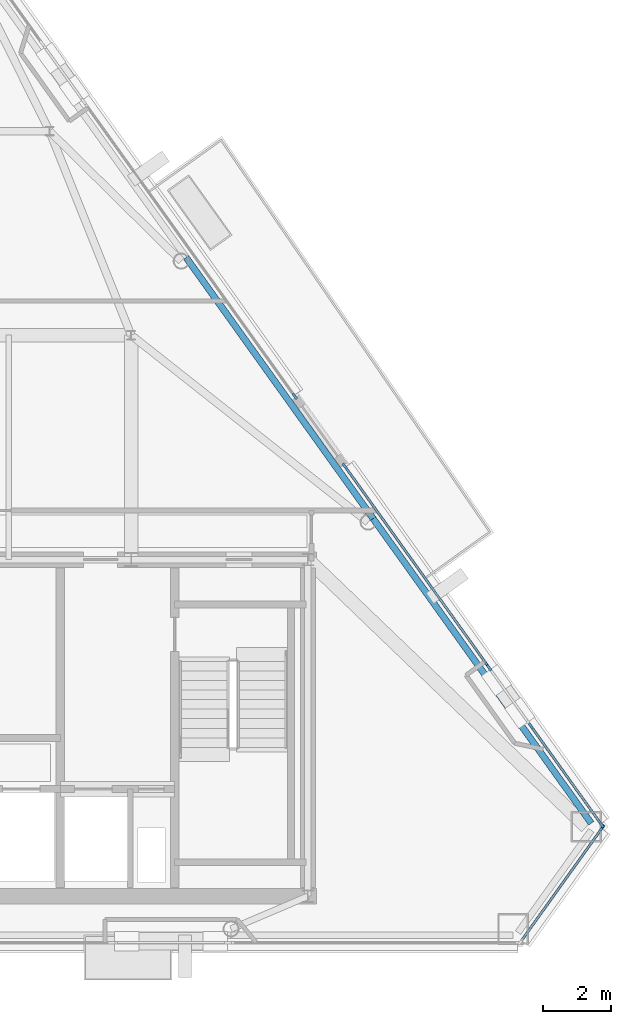
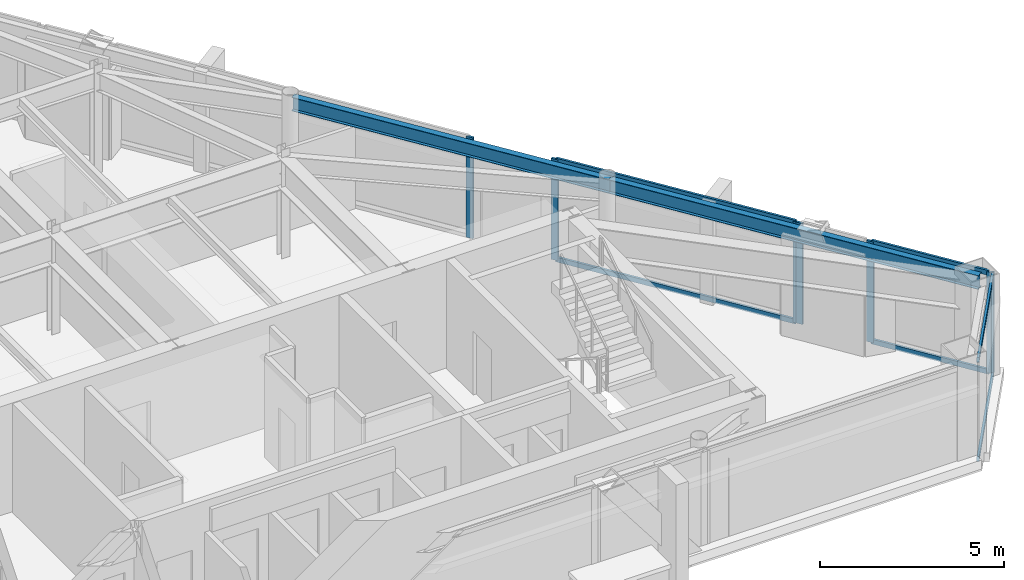
# One storey, part 6 of 12: 13 members, 2 beams, 5 elements without a shape of their own.
"""IFC4 building model written with IfcOpenShell, lengths in metres."""

from ifc_helpers import new_model, si_unit, direction, frame, origin, origin_2d, place, context, subcontext, project, spatial, rectangle, i_section, extrude, material, layer, layer_set, material_profile, profile_set, type_object, element, aggregate, save


model = new_model("IFC4")

# Units and contexts
model_context = context("Model", 3, precision=1e-05, world=origin(), true_north=direction((0.0, 1.0)))
body_context = subcontext(model_context, "Body", "Model", "MODEL_VIEW")
ifc_project = project(units=[si_unit("LENGTHUNIT", "METRE"), si_unit("AREAUNIT", "SQUARE_METRE"), si_unit("VOLUMEUNIT", "CUBIC_METRE"), si_unit("PLANEANGLEUNIT", "RADIAN"), si_unit("MASSUNIT", "GRAM", prefix="KILO")], contexts=[model_context])

# Site, building, storey
site_placement = place(None, origin())
site = spatial("IfcSite", under=ifc_project, at=site_placement, CompositionType="ELEMENT")
building_placement = place(site_placement, origin())
building = spatial("IfcBuilding", under=site, at=building_placement, Name="Talgorran Terracotta Tower", CompositionType="ELEMENT")
storey_placement = place(building_placement, frame((0.0, 0.0, 252.60009765625)))
storey = spatial("IfcBuildingStorey", under=building, at=storey_placement, Name="L66", CompositionType="ELEMENT", Elevation=252.60009765625)

# Beams
ifc_material_1 = material(Name="Steel S355 (300PLUS)", Category="steel")
ifc_material_profile_1 = material_profile(ifc_material_1, i_section(OverallWidth=0.18994140625, OverallDepth=0.45703125, WebThickness=0.009033203125, FlangeThickness=0.014404296875, at=origin_2d()), Name="460UB74.6")
ifc_profile_set_1 = profile_set([ifc_material_profile_1], Name="Steel S355 (300PLUS)")
beam_type = type_object("IfcBeamType", Name="BM_SP_460UB74", PredefinedType="SPANDREL", material=ifc_profile_set_1)
beam_1_placement = place(storey_placement, frame((20.7314453125, -11.951904296875, 3.116455078125), z_axis=(-0.58220828918, 0.813039671855, 0.0), x_axis=(-0.813039671855, -0.58220828918, 0.0)))
element("IfcBeam", 1, at=beam_1_placement, inside=storey, type_object=beam_type, Name="L66 Perimeter Spandrel Beam MC4-FC3", PredefinedType="SPANDREL", context=body_context, shape_type="SweptSolid", body=[
    extrude(i_section(OverallWidth=0.18994140625, OverallDepth=0.45703125, WebThickness=0.009033203125, FlangeThickness=0.014404296875, at=origin_2d()), origin(), (0.0, 0.0, 1.0), 11.017578125),
])
beam_2_placement = place(storey_placement, frame((14.31689453125, -2.994140625, 3.116455078125), z_axis=(-0.582203768418, 0.813042909102, 0.0), x_axis=(-0.813042909102, -0.582203768418, 0.0)))
element("IfcBeam", 2, at=beam_2_placement, inside=storey, type_object=beam_type, Name="L66 Perimeter Spandrel Beam FC3-FC4", PredefinedType="SPANDREL", context=body_context, shape_type="SweptSolid", body=[
    extrude(i_section(OverallWidth=0.18994140625, OverallDepth=0.45703125, WebThickness=0.009033203125, FlangeThickness=0.014404296875, at=origin_2d()), origin(), (0.0, 0.0, 1.0), 9.443603515625),
])

# Curtain wall, member
ifc_material_2 = material(Name="High-Wind Unitised Glazing", Category="glass")
ifc_layer = layer(ifc_material_2, 0.2099609375, Name="CW_SYS3_RES_HIGH")
ifc_layer_set = layer_set([ifc_layer], Name="High-Wind Unitised Glazing")
curtain_wall_type = type_object("IfcCurtainWallType", Name="CW_SYS3_RES_HIGH", PredefinedType="NOTDEFINED", material=ifc_layer_set)
curtain_wall_1_placement = place(storey_placement, origin())
curtain_wall_1 = element("IfcCurtainWall", 3, at=curtain_wall_1_placement, inside=storey, type_object=curtain_wall_type, Name="CW-L66-F2", PredefinedType="NOTDEFINED")
ifc_material_3 = material(Name="Architectural Aluminium 6063-T6", Category="aluminium")
ifc_material_profile_2 = material_profile(ifc_material_3, rectangle(XDim=0.070068359375, YDim=0.199951171875, at=origin_2d()), Name="CWM70X200")
ifc_profile_set_2 = profile_set([ifc_material_profile_2], Name="Architectural Aluminium 6063-T6")
member_type_1 = type_object("IfcMemberType", Name="MUL_70X200", PredefinedType="MULLION", material=ifc_profile_set_2)
member_1_placement = place(storey_placement, frame((21.056640625, -12.085205078125, 0.0), z_axis=(0.0, 0.0, 1.0), x_axis=(-0.813031401137, 0.582219838862, 0.0)))
member_1 = element("IfcMember", 4, at=member_1_placement, type_object=member_type_1, Name="CW-L66-2 mullion 2", PredefinedType="MULLION", context=body_context, shape_type="SweptSolid", body=[
    extrude(rectangle(XDim=0.070068359375, YDim=0.199951171875, at=origin_2d()), origin(), (0.0, 0.0, 1.0), 3.344970703125),
])

# Curtain wall, members
curtain_wall_2_placement = place(storey_placement, origin())
curtain_wall_2 = element("IfcCurtainWall", 5, at=curtain_wall_2_placement, inside=storey, type_object=curtain_wall_type, Name="CW-L66-F40", PredefinedType="NOTDEFINED")
member_2_placement = place(storey_placement, frame((21.033447265625, -11.995849609375, 0.0), z_axis=(0.0, 0.0, 1.0), x_axis=(-0.813042330574, -0.582204576326, 0.0)))
member_2 = element("IfcMember", 6, at=member_2_placement, type_object=member_type_1, Name="CW-L66-40 mullion 1", PredefinedType="MULLION", context=body_context, shape_type="SweptSolid", body=[
    extrude(rectangle(XDim=0.070068359375, YDim=0.199951171875, at=origin_2d()), origin(), (0.0, 0.0, 1.0), 3.344970703125),
])
member_3_placement = place(storey_placement, frame((18.955078125, -9.09326171875, 0.0), z_axis=(0.0, 0.0, 1.0), x_axis=(-0.813042330574, -0.582204576326, 0.0)))
member_3 = element("IfcMember", 7, at=member_3_placement, type_object=member_type_1, Name="CW-L66-40 mullion 2", PredefinedType="MULLION", context=body_context, shape_type="SweptSolid", body=[
    extrude(rectangle(XDim=0.070068359375, YDim=0.199951171875, at=origin_2d()), origin(), (0.0, 0.0, 1.0), 3.344970703125),
])

# Curtain wall, member
curtain_wall_3_placement = place(storey_placement, origin())
curtain_wall_3 = element("IfcCurtainWall", 8, at=curtain_wall_3_placement, inside=storey, type_object=curtain_wall_type, Name="CW-L66-F40B", PredefinedType="NOTDEFINED")
member_4_placement = place(storey_placement, frame((17.729736328125, -7.38232421875, 0.0), z_axis=(0.0, 0.0, 1.0), x_axis=(-0.813023164731, -0.582231340285, 0.0)))
member_4 = element("IfcMember", 9, at=member_4_placement, type_object=member_type_1, Name="CW-L66-40B mullion 2", PredefinedType="MULLION", context=body_context, shape_type="SweptSolid", body=[
    extrude(rectangle(XDim=0.070068359375, YDim=0.199951171875, at=origin_2d()), origin(), (0.0, 0.0, 1.0), 3.344970703125),
])
aggregate(curtain_wall_3, [member_4])

# Curtain wall, members
curtain_wall_4_placement = place(storey_placement, origin())
curtain_wall_4 = element("IfcCurtainWall", 10, at=curtain_wall_4_placement, inside=storey, type_object=curtain_wall_type, Name="CW-L66-F40C", PredefinedType="NOTDEFINED")
member_5_placement = place(storey_placement, frame((17.68310546875, -7.317138671875, 0.0), z_axis=(0.0, 0.0, 1.0), x_axis=(-0.813043457693, -0.582203002313, 0.0)))
member_5 = element("IfcMember", 11, at=member_5_placement, type_object=member_type_1, Name="CW-L66-40C mullion 1", PredefinedType="MULLION", context=body_context, shape_type="SweptSolid", body=[
    extrude(rectangle(XDim=0.070068359375, YDim=0.199951171875, at=origin_2d()), origin(), (0.0, 0.0, 1.0), 3.344970703125),
])
member_6_placement = place(storey_placement, frame((13.484619140625, -1.453857421875, 0.0), z_axis=(0.0, 0.0, 1.0), x_axis=(-0.813043457693, -0.582203002313, 0.0)))
member_6 = element("IfcMember", 12, at=member_6_placement, type_object=member_type_1, Name="CW-L66-40C mullion 2", PredefinedType="MULLION", context=body_context, shape_type="SweptSolid", body=[
    extrude(rectangle(XDim=0.070068359375, YDim=0.199951171875, at=origin_2d()), origin(), (0.0, 0.0, 1.0), 3.344970703125),
])

# Curtain wall, member
curtain_wall_5_placement = place(storey_placement, origin())
curtain_wall_5 = element("IfcCurtainWall", 13, at=curtain_wall_5_placement, inside=storey, type_object=curtain_wall_type, Name="CW-L66-F41", PredefinedType="NOTDEFINED")
member_7_placement = place(storey_placement, frame((12.011474609375, 0.603271484375, 0.0), z_axis=(0.0, 0.0, 1.0), x_axis=(-0.813041247511, -0.582206088809, 0.0)))
member_7 = element("IfcMember", 14, at=member_7_placement, type_object=member_type_1, Name="CW-L66-41 mullion 1", PredefinedType="MULLION", context=body_context, shape_type="SweptSolid", body=[
    extrude(rectangle(XDim=0.070068359375, YDim=0.199951171875, at=origin_2d()), origin(), (0.0, 0.0, 1.0), 3.344970703125),
])
aggregate(curtain_wall_5, [member_7])

# Member
ifc_material_profile_3 = material_profile(ifc_material_3, rectangle(XDim=0.070068359375, YDim=0.159912109375, at=origin_2d()), Name="CWT70X160")
ifc_profile_set_3 = profile_set([ifc_material_profile_3], Name="Architectural Aluminium 6063-T6")
member_type_2 = type_object("IfcMemberType", Name="TRN_70X160", PredefinedType="USERDEFINED", material=ifc_profile_set_3)
member_8_placement = place(storey_placement, frame((18.678466796875, -15.406494140625, 0.034912109375), z_axis=(0.582184359595, 0.813056807021, 0.0), x_axis=(-0.813056807021, 0.582184359595, 0.0)))
member_8 = element("IfcMember", 15, at=member_8_placement, type_object=member_type_2, Name="CW-L66-2 transom 1.1", ObjectType="TRANSOM", PredefinedType="USERDEFINED", context=body_context, shape_type="SweptSolid", body=[
    extrude(rectangle(XDim=0.070068359375, YDim=0.159912109375, at=origin_2d()), origin(), (0.0, 0.0, 1.0), 4.050048828125),
])

member_9_placement = place(storey_placement, frame((18.678466796875, -15.406494140625, 3.309814453125), z_axis=(0.582184359595, 0.813056807021, 0.0), x_axis=(-0.813056807021, 0.582184359595, 0.0)))
member_9 = element("IfcMember", 16, at=member_9_placement, type_object=member_type_2, Name="CW-L66-2 transom 1.2", ObjectType="TRANSOM", PredefinedType="USERDEFINED", context=body_context, shape_type="SweptSolid", body=[
    extrude(rectangle(XDim=0.070068359375, YDim=0.159912109375, at=origin_2d()), origin(), (0.0, 0.0, 1.0), 4.050048828125),
])

aggregate(curtain_wall_1, [member_1, member_8, member_9])

member_10_placement = place(storey_placement, frame((21.012939453125, -11.96728515625, 0.034912109375), z_axis=(-0.582207806572, 0.813040017445, 0.0), x_axis=(-0.813040017445, -0.582207806572, 0.0)))
member_10 = element("IfcMember", 17, at=member_10_placement, type_object=member_type_2, Name="CW-L66-40 transom 1.1", ObjectType="TRANSOM", PredefinedType="USERDEFINED", context=body_context, shape_type="SweptSolid", body=[
    extrude(rectangle(XDim=0.070068359375, YDim=0.159912109375, at=origin_2d()), origin(), (0.0, 0.0, 1.0), 3.499755859375),
])

member_11_placement = place(storey_placement, frame((21.012939453125, -11.96728515625, 3.309814453125), z_axis=(-0.582207806572, 0.813040017445, 0.0), x_axis=(-0.813040017445, -0.582207806572, 0.0)))
member_11 = element("IfcMember", 18, at=member_11_placement, type_object=member_type_2, Name="CW-L66-40 transom 1.2", ObjectType="TRANSOM", PredefinedType="USERDEFINED", context=body_context, shape_type="SweptSolid", body=[
    extrude(rectangle(XDim=0.070068359375, YDim=0.159912109375, at=origin_2d()), origin(), (0.0, 0.0, 1.0), 3.499755859375),
])

aggregate(curtain_wall_2, [member_2, member_3, member_10, member_11])

member_12_placement = place(storey_placement, frame((17.662841796875, -7.288818359375, 0.034912109375), z_axis=(-0.582214373591, 0.813035314844, 0.0), x_axis=(-0.813035314844, -0.582214373591, 0.0)))
member_12 = element("IfcMember", 19, at=member_12_placement, type_object=member_type_2, Name="CW-L66-40C transom 1.1", ObjectType="TRANSOM", PredefinedType="USERDEFINED", context=body_context, shape_type="SweptSolid", body=[
    extrude(rectangle(XDim=0.070068359375, YDim=0.159912109375, at=origin_2d()), origin(), (0.0, 0.0, 1.0), 7.1416015625),
])

member_13_placement = place(storey_placement, frame((17.662841796875, -7.288818359375, 3.309814453125), z_axis=(-0.582214373591, 0.813035314844, 0.0), x_axis=(-0.813035314844, -0.582214373591, 0.0)))
member_13 = element("IfcMember", 20, at=member_13_placement, type_object=member_type_2, Name="CW-L66-40C transom 1.2", ObjectType="TRANSOM", PredefinedType="USERDEFINED", context=body_context, shape_type="SweptSolid", body=[
    extrude(rectangle(XDim=0.070068359375, YDim=0.159912109375, at=origin_2d()), origin(), (0.0, 0.0, 1.0), 7.1416015625),
])

aggregate(curtain_wall_4, [member_5, member_6, member_12, member_13])

save(model, "model.ifc")
